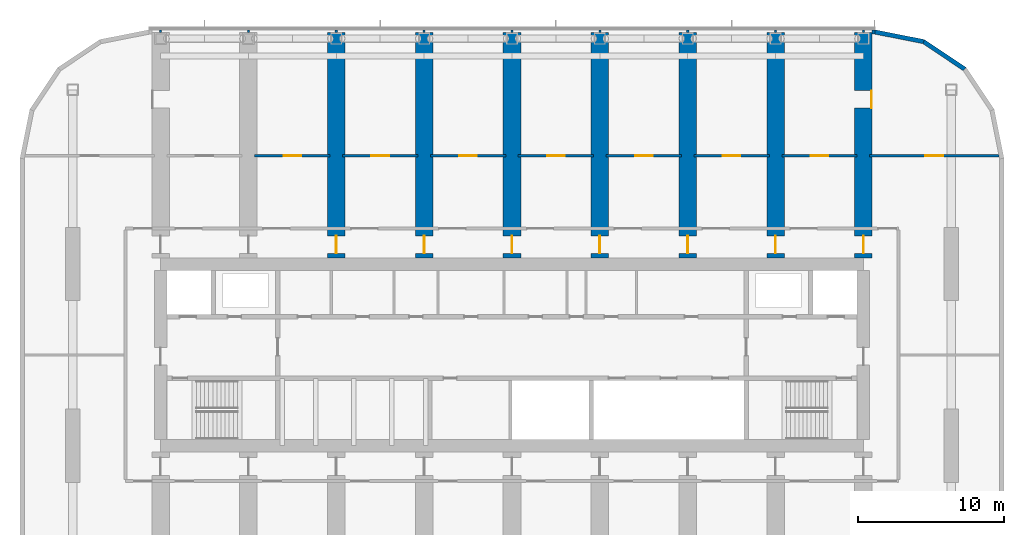
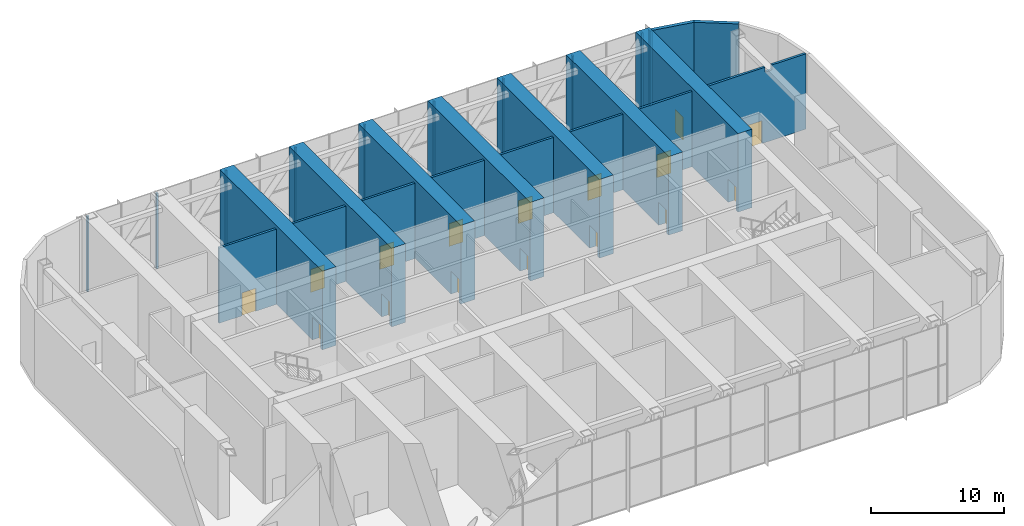
# One storey, part 12 of 22: 27 walls, 16 doors, 16 openings.
"""IFC4 building model written with IfcOpenShell, lengths in metres."""

from ifc_helpers import new_model, si_unit, direction, frame, frame_2d, origin, place, context, subcontext, project, spatial, polyline, rectangle, outline, extrude, clip, halfspace, material, layer, layer_set, type_object, element, fill, save


model = new_model("IFC4")

# Units and contexts
model_context = context("Model", 3, precision=1e-05, world=origin(), true_north=direction((0.0, 1.0)))
body_context = subcontext(model_context, "Body", "Model", "MODEL_VIEW")
ifc_project = project(units=[si_unit("LENGTHUNIT", "METRE"), si_unit("AREAUNIT", "SQUARE_METRE"), si_unit("VOLUMEUNIT", "CUBIC_METRE"), si_unit("PLANEANGLEUNIT", "RADIAN"), si_unit("MASSUNIT", "GRAM", prefix="KILO")], contexts=[model_context])

# Site, building, storey
site_placement = place(None, origin())
site = spatial("IfcSite", under=ifc_project, at=site_placement, CompositionType="ELEMENT")
building_placement = place(site_placement, origin())
building = spatial("IfcBuilding", under=site, at=building_placement, Name="Orbita Commons", CompositionType="ELEMENT")
storey_placement = place(building_placement, frame((0.0, 0.0, 201.10009765625)))
storey = spatial("IfcBuildingStorey", under=building, at=storey_placement, Name="L50", CompositionType="ELEMENT", Elevation=201.10009765625)

# Wall, opening, door
ifc_material_1 = material(Name="Hollow concrete block 200", Category="concrete")
ifc_layer_1 = layer(ifc_material_1, 0.199951171875)
ifc_layer_set_1 = layer_set([ifc_layer_1], Name="Hollow concrete block 200")
wall_type_1 = type_object("IfcWallType", Name="Corridor wall 200 hollow concrete block", PredefinedType="SOLIDWALL", material=ifc_layer_set_1)
wall_1_placement = place(storey_placement, frame((24.425048828125, 45.60009765625, 0.0), z_axis=(0.0, 0.0, 1.0), x_axis=(1.0, 0.0, 0.0)))
wall_1 = element("IfcWall", 1, at=wall_1_placement, inside=storey, type_object=wall_type_1, Name="Corridor wall 200 hollow concrete block L50", PredefinedType="SOLIDWALL", context=body_context, shape_type="SweptSolid", body=[
    extrude(rectangle(XDim=5.14990234375, YDim=0.199951171875, at=frame_2d((2.574951171875, 0.0))), origin(), (0.0, 0.0, 1.0), 6.89990234375),
])
opening_1_placement = place(wall_1_placement, frame((1.97509765625, 0.0, 0.0)))
opening_1 = element("IfcOpeningElement", 2, at=opening_1_placement, cuts=wall_1, Name="Opening D01", PredefinedType="OPENING", context=body_context, shape_type="SweptSolid", body=[
    extrude(rectangle(XDim=1.199951171875, YDim=2.10009765625, at=frame_2d((0.60009765625, 1.050048828125))), frame((0.0, 0.10986328125, 0.0), z_axis=(0.0, -1.0, 0.0), x_axis=(1.0, 0.0, 0.0)), (0.0, 0.0, 1.0), 0.219970703125),
])
ifc_material_2 = material(Name="Steel-faced fire door leaf", Category="steel")
door_type = type_object("IfcDoorType", Name="Fire door 90 min 1200x2100", OperationType="SINGLE_SWING_LEFT", PredefinedType="DOOR", material=ifc_material_2)
door_1_placement = place(opening_1_placement, origin())
door_1 = element("IfcDoor", 3, at=door_1_placement, inside=storey, type_object=door_type, Name="Plant room door L50", OperationType="SINGLE_SWING_LEFT", OverallHeight=2.10009765625, OverallWidth=1.199951171875, PredefinedType="DOOR", context=body_context, shape_type="SweptSolid", body=[
    extrude(rectangle(XDim=1.199951171875, YDim=2.10009765625, at=frame_2d((0.60009765625, 1.050048828125))), frame((0.0, 0.02490234375, 0.0), z_axis=(0.0, -1.0, 0.0), x_axis=(1.0, 0.0, 0.0)), (0.0, 0.0, 1.0), 0.050048828125),
])
fill(opening_1, door_1)

wall_2_placement = place(storey_placement, frame((30.425048828125, 45.60009765625, 0.0), z_axis=(0.0, 0.0, 1.0), x_axis=(1.0, 0.0, 0.0)))
wall_2 = element("IfcWall", 4, at=wall_2_placement, inside=storey, type_object=wall_type_1, Name="Corridor wall 200 hollow concrete block L50", PredefinedType="SOLIDWALL", context=body_context, shape_type="SweptSolid", body=[
    extrude(rectangle(XDim=5.14990234375, YDim=0.199951171875, at=frame_2d((2.574951171875, 0.0))), origin(), (0.0, 0.0, 1.0), 6.89990234375),
])
opening_2_placement = place(wall_2_placement, frame((1.97509765625, 0.0, 0.0)))
opening_2 = element("IfcOpeningElement", 5, at=opening_2_placement, cuts=wall_2, Name="Opening D01", PredefinedType="OPENING", context=body_context, shape_type="SweptSolid", body=[
    extrude(rectangle(XDim=1.199951171875, YDim=2.10009765625, at=frame_2d((0.60009765625, 1.050048828125))), frame((0.0, 0.10986328125, 0.0), z_axis=(0.0, -1.0, 0.0), x_axis=(1.0, 0.0, 0.0)), (0.0, 0.0, 1.0), 0.219970703125),
])
door_2_placement = place(opening_2_placement, origin())
door_2 = element("IfcDoor", 6, at=door_2_placement, inside=storey, type_object=door_type, Name="Plant room door L50", OperationType="SINGLE_SWING_LEFT", OverallHeight=2.10009765625, OverallWidth=1.199951171875, PredefinedType="DOOR", context=body_context, shape_type="SweptSolid", body=[
    extrude(rectangle(XDim=1.199951171875, YDim=2.10009765625, at=frame_2d((0.60009765625, 1.050048828125))), frame((0.0, 0.02490234375, 0.0), z_axis=(0.0, -1.0, 0.0), x_axis=(1.0, 0.0, 0.0)), (0.0, 0.0, 1.0), 0.050048828125),
])
fill(opening_2, door_2)

wall_3_placement = place(storey_placement, frame((36.425048828125, 45.60009765625, 0.0), z_axis=(0.0, 0.0, 1.0), x_axis=(1.0, 0.0, 0.0)))
wall_3 = element("IfcWall", 7, at=wall_3_placement, inside=storey, type_object=wall_type_1, Name="Corridor wall 200 hollow concrete block L50", PredefinedType="SOLIDWALL", context=body_context, shape_type="SweptSolid", body=[
    extrude(rectangle(XDim=5.14990234375, YDim=0.199951171875, at=frame_2d((2.574951171875, 0.0))), origin(), (0.0, 0.0, 1.0), 6.89990234375),
])
opening_3_placement = place(wall_3_placement, frame((1.97509765625, 0.0, 0.0)))
opening_3 = element("IfcOpeningElement", 8, at=opening_3_placement, cuts=wall_3, Name="Opening D01", PredefinedType="OPENING", context=body_context, shape_type="SweptSolid", body=[
    extrude(rectangle(XDim=1.199951171875, YDim=2.10009765625, at=frame_2d((0.60009765625, 1.050048828125))), frame((0.0, 0.10986328125, 0.0), z_axis=(0.0, -1.0, 0.0), x_axis=(1.0, 0.0, 0.0)), (0.0, 0.0, 1.0), 0.219970703125),
])
door_3_placement = place(opening_3_placement, origin())
door_3 = element("IfcDoor", 9, at=door_3_placement, inside=storey, type_object=door_type, Name="Plant room door L50", OperationType="SINGLE_SWING_LEFT", OverallHeight=2.10009765625, OverallWidth=1.199951171875, PredefinedType="DOOR", context=body_context, shape_type="SweptSolid", body=[
    extrude(rectangle(XDim=1.199951171875, YDim=2.10009765625, at=frame_2d((0.60009765625, 1.050048828125))), frame((0.0, 0.02490234375, 0.0), z_axis=(0.0, -1.0, 0.0), x_axis=(1.0, 0.0, 0.0)), (0.0, 0.0, 1.0), 0.050048828125),
])
fill(opening_3, door_3)

wall_4_placement = place(storey_placement, frame((42.425048828125, 45.60009765625, 0.0), z_axis=(0.0, 0.0, 1.0), x_axis=(1.0, 0.0, 0.0)))
wall_4 = element("IfcWall", 10, at=wall_4_placement, inside=storey, type_object=wall_type_1, Name="Corridor wall 200 hollow concrete block L50", PredefinedType="SOLIDWALL", context=body_context, shape_type="SweptSolid", body=[
    extrude(rectangle(XDim=5.14990234375, YDim=0.199951171875, at=frame_2d((2.574951171875, 0.0))), origin(), (0.0, 0.0, 1.0), 6.89990234375),
])
opening_4_placement = place(wall_4_placement, frame((1.97509765625, 0.0, 0.0)))
opening_4 = element("IfcOpeningElement", 11, at=opening_4_placement, cuts=wall_4, Name="Opening D01", PredefinedType="OPENING", context=body_context, shape_type="SweptSolid", body=[
    extrude(rectangle(XDim=1.199951171875, YDim=2.10009765625, at=frame_2d((0.60009765625, 1.050048828125))), frame((0.0, 0.10986328125, 0.0), z_axis=(0.0, -1.0, 0.0), x_axis=(1.0, 0.0, 0.0)), (0.0, 0.0, 1.0), 0.219970703125),
])
door_4_placement = place(opening_4_placement, origin())
door_4 = element("IfcDoor", 12, at=door_4_placement, inside=storey, type_object=door_type, Name="Plant room door L50", OperationType="SINGLE_SWING_LEFT", OverallHeight=2.10009765625, OverallWidth=1.199951171875, PredefinedType="DOOR", context=body_context, shape_type="SweptSolid", body=[
    extrude(rectangle(XDim=1.199951171875, YDim=2.10009765625, at=frame_2d((0.60009765625, 1.050048828125))), frame((0.0, 0.02490234375, 0.0), z_axis=(0.0, -1.0, 0.0), x_axis=(1.0, 0.0, 0.0)), (0.0, 0.0, 1.0), 0.050048828125),
])
fill(opening_4, door_4)

wall_5_placement = place(storey_placement, frame((48.425048828125, 45.60009765625, 0.0), z_axis=(0.0, 0.0, 1.0), x_axis=(1.0, 0.0, 0.0)))
wall_5 = element("IfcWall", 13, at=wall_5_placement, inside=storey, type_object=wall_type_1, Name="Corridor wall 200 hollow concrete block L50", PredefinedType="SOLIDWALL", context=body_context, shape_type="SweptSolid", body=[
    extrude(rectangle(XDim=5.14990234375, YDim=0.199951171875, at=frame_2d((2.574951171875, 0.0))), origin(), (0.0, 0.0, 1.0), 6.89990234375),
])
opening_5_placement = place(wall_5_placement, frame((1.97509765625, 0.0, 0.0)))
opening_5 = element("IfcOpeningElement", 14, at=opening_5_placement, cuts=wall_5, Name="Opening D01", PredefinedType="OPENING", context=body_context, shape_type="SweptSolid", body=[
    extrude(rectangle(XDim=1.199951171875, YDim=2.10009765625, at=frame_2d((0.60009765625, 1.050048828125))), frame((0.0, 0.10986328125, 0.0), z_axis=(0.0, -1.0, 0.0), x_axis=(1.0, 0.0, 0.0)), (0.0, 0.0, 1.0), 0.219970703125),
])
door_5_placement = place(opening_5_placement, origin())
door_5 = element("IfcDoor", 15, at=door_5_placement, inside=storey, type_object=door_type, Name="Plant room door L50", OperationType="SINGLE_SWING_LEFT", OverallHeight=2.10009765625, OverallWidth=1.199951171875, PredefinedType="DOOR", context=body_context, shape_type="SweptSolid", body=[
    extrude(rectangle(XDim=1.199951171875, YDim=2.10009765625, at=frame_2d((0.60009765625, 1.050048828125))), frame((0.0, 0.02490234375, 0.0), z_axis=(0.0, -1.0, 0.0), x_axis=(1.0, 0.0, 0.0)), (0.0, 0.0, 1.0), 0.050048828125),
])
fill(opening_5, door_5)

wall_6_placement = place(storey_placement, frame((54.425048828125, 45.60009765625, 0.0), z_axis=(0.0, 0.0, 1.0), x_axis=(1.0, 0.0, 0.0)))
wall_6 = element("IfcWall", 16, at=wall_6_placement, inside=storey, type_object=wall_type_1, Name="Corridor wall 200 hollow concrete block L50", PredefinedType="SOLIDWALL", context=body_context, shape_type="SweptSolid", body=[
    extrude(rectangle(XDim=5.14990234375, YDim=0.199951171875, at=frame_2d((2.574951171875, 0.0))), origin(), (0.0, 0.0, 1.0), 6.89990234375),
])
opening_6_placement = place(wall_6_placement, frame((1.97509765625, 0.0, 0.0)))
opening_6 = element("IfcOpeningElement", 17, at=opening_6_placement, cuts=wall_6, Name="Opening D01", PredefinedType="OPENING", context=body_context, shape_type="SweptSolid", body=[
    extrude(rectangle(XDim=1.199951171875, YDim=2.10009765625, at=frame_2d((0.60009765625, 1.050048828125))), frame((0.0, 0.10986328125, 0.0), z_axis=(0.0, -1.0, 0.0), x_axis=(1.0, 0.0, 0.0)), (0.0, 0.0, 1.0), 0.219970703125),
])
door_6_placement = place(opening_6_placement, origin())
door_6 = element("IfcDoor", 18, at=door_6_placement, inside=storey, type_object=door_type, Name="Plant room door L50", OperationType="SINGLE_SWING_LEFT", OverallHeight=2.10009765625, OverallWidth=1.199951171875, PredefinedType="DOOR", context=body_context, shape_type="SweptSolid", body=[
    extrude(rectangle(XDim=1.199951171875, YDim=2.10009765625, at=frame_2d((0.60009765625, 1.050048828125))), frame((0.0, 0.02490234375, 0.0), z_axis=(0.0, -1.0, 0.0), x_axis=(1.0, 0.0, 0.0)), (0.0, 0.0, 1.0), 0.050048828125),
])
fill(opening_6, door_6)

wall_7_placement = place(storey_placement, frame((60.425048828125, 45.60009765625, 0.0), z_axis=(0.0, 0.0, 1.0), x_axis=(1.0, 0.0, 0.0)))
wall_7 = element("IfcWall", 19, at=wall_7_placement, inside=storey, type_object=wall_type_1, Name="Corridor wall 200 hollow concrete block L50", PredefinedType="SOLIDWALL", context=body_context, shape_type="SweptSolid", body=[
    extrude(rectangle(XDim=5.14990234375, YDim=0.199951171875, at=frame_2d((2.574951171875, 0.0))), origin(), (0.0, 0.0, 1.0), 6.89990234375),
])
opening_7_placement = place(wall_7_placement, frame((1.97509765625, 0.0, 0.0)))
opening_7 = element("IfcOpeningElement", 20, at=opening_7_placement, cuts=wall_7, Name="Opening D01", PredefinedType="OPENING", context=body_context, shape_type="SweptSolid", body=[
    extrude(rectangle(XDim=1.199951171875, YDim=2.10009765625, at=frame_2d((0.60009765625, 1.050048828125))), frame((0.0, 0.10986328125, 0.0), z_axis=(0.0, -1.0, 0.0), x_axis=(1.0, 0.0, 0.0)), (0.0, 0.0, 1.0), 0.219970703125),
])
door_7_placement = place(opening_7_placement, origin())
door_7 = element("IfcDoor", 21, at=door_7_placement, inside=storey, type_object=door_type, Name="Plant room door L50", OperationType="SINGLE_SWING_LEFT", OverallHeight=2.10009765625, OverallWidth=1.199951171875, PredefinedType="DOOR", context=body_context, shape_type="SweptSolid", body=[
    extrude(rectangle(XDim=1.199951171875, YDim=2.10009765625, at=frame_2d((0.60009765625, 1.050048828125))), frame((0.0, 0.02490234375, 0.0), z_axis=(0.0, -1.0, 0.0), x_axis=(1.0, 0.0, 0.0)), (0.0, 0.0, 1.0), 0.050048828125),
])
fill(opening_7, door_7)

wall_8_placement = place(storey_placement, frame((66.425048828125, 45.60009765625, 0.0), z_axis=(0.0, 0.0, 1.0), x_axis=(1.0, 0.0, 0.0)))
wall_8 = element("IfcWall", 22, at=wall_8_placement, inside=storey, type_object=wall_type_1, Name="Corridor wall 200 hollow concrete block L50", PredefinedType="SOLIDWALL", context=body_context, shape_type="Clipping", body=[
    clip(clip(extrude(outline(polyline([(-0.02978515625, 0.0), (8.85693359375, 0.0), (8.85693359375, 6.89990234375), (5.876953125, 6.89990234375), (5.875, 6.449951171875), (5.277099609375, 6.449951171875), (5.27490234375, 6.89990234375), (-0.02978515625, 6.89990234375), (-0.02978515625, 0.0)])), frame((0.0, 0.10009765625, 0.0), z_axis=(0.0, -1.0, 0.0), x_axis=(1.0, 0.0, 0.0)), (0.0, 0.0, 1.0), 0.199951171875), halfspace(frame((0.0, 0.0, 0.0), z_axis=(-1.0, 0.0, 0.0)), False)), halfspace(frame((8.8271484375, 0.0, 0.0), z_axis=(0.980787601265, 0.195078653892, 0.0)), False)),
])
opening_8_placement = place(wall_8_placement, frame((3.81201171875, 0.0, 0.0)))
opening_8 = element("IfcOpeningElement", 23, at=opening_8_placement, cuts=wall_8, Name="Opening D01", PredefinedType="OPENING", context=body_context, shape_type="SweptSolid", body=[
    extrude(rectangle(XDim=1.199951171875, YDim=2.10009765625, at=frame_2d((0.60009765625, 1.050048828125))), frame((0.0, 0.10986328125, 0.0), z_axis=(0.0, -1.0, 0.0), x_axis=(1.0, 0.0, 0.0)), (0.0, 0.0, 1.0), 0.219970703125),
])
door_8_placement = place(opening_8_placement, origin())
door_8 = element("IfcDoor", 24, at=door_8_placement, inside=storey, type_object=door_type, Name="Plant room door L50", OperationType="SINGLE_SWING_LEFT", OverallHeight=2.10009765625, OverallWidth=1.199951171875, PredefinedType="DOOR", context=body_context, shape_type="SweptSolid", body=[
    extrude(rectangle(XDim=1.199951171875, YDim=2.10009765625, at=frame_2d((0.60009765625, 1.050048828125))), frame((0.0, 0.02490234375, 0.0), z_axis=(0.0, -1.0, 0.0), x_axis=(1.0, 0.0, 0.0)), (0.0, 0.0, 1.0), 0.050048828125),
])
fill(opening_8, door_8)

ifc_material_3 = material(Name="Concrete C50/60", Category="concrete")
ifc_layer_2 = layer(ifc_material_3, 1.199951171875)
ifc_layer_set_2 = layer_set([ifc_layer_2], Name="Concrete C50/60")
wall_type_2 = type_object("IfcWallType", Name="Outrigger wall 1200 C50/60", PredefinedType="SHEAR", material=ifc_layer_set_2)
wall_9_placement = place(storey_placement, frame((30.0, 38.625, 0.0), z_axis=(0.0, 0.0, 1.0), x_axis=(0.0, 1.0, 0.0)))
wall_9 = element("IfcWall", 25, at=wall_9_placement, inside=storey, type_object=wall_type_2, Name="Outrigger wall 6 north L50", PredefinedType="SHEAR", context=body_context, shape_type="SweptSolid", body=[
    extrude(rectangle(XDim=15.375, YDim=1.199951171875, at=frame_2d((7.6875, 0.0))), origin(), (0.0, 0.0, 1.0), 7.199951171875),
])
opening_9_placement = place(wall_9_placement, frame((0.300048828125, 0.0, 0.0)))
opening_9 = element("IfcOpeningElement", 26, at=opening_9_placement, cuts=wall_9, Name="Opening D01", PredefinedType="OPENING", context=body_context, shape_type="SweptSolid", body=[
    extrude(rectangle(XDim=1.199951171875, YDim=2.10009765625, at=frame_2d((0.60009765625, 1.050048828125))), frame((0.0, 0.60986328125, 0.0), z_axis=(0.0, -1.0, 0.0), x_axis=(1.0, 0.0, 0.0)), (0.0, 0.0, 1.0), 1.219970703125),
])
door_9_placement = place(opening_9_placement, origin())
door_9 = element("IfcDoor", 27, at=door_9_placement, inside=storey, type_object=door_type, Name="Corridor door through cross wall N L50", OperationType="SINGLE_SWING_LEFT", OverallHeight=2.10009765625, OverallWidth=1.199951171875, PredefinedType="DOOR", context=body_context, shape_type="SweptSolid", body=[
    extrude(rectangle(XDim=1.199951171875, YDim=2.10009765625, at=frame_2d((0.60009765625, 1.050048828125))), frame((0.0, 0.02490234375, 0.0), z_axis=(0.0, -1.0, 0.0), x_axis=(1.0, 0.0, 0.0)), (0.0, 0.0, 1.0), 0.050048828125),
])
fill(opening_9, door_9)

wall_10_placement = place(storey_placement, frame((36.0, 38.625, 0.0), z_axis=(0.0, 0.0, 1.0), x_axis=(0.0, 1.0, 0.0)))
wall_10 = element("IfcWall", 28, at=wall_10_placement, inside=storey, type_object=wall_type_2, Name="Outrigger wall 7 north L50", PredefinedType="SHEAR", context=body_context, shape_type="SweptSolid", body=[
    extrude(rectangle(XDim=15.375, YDim=1.199951171875, at=frame_2d((7.6875, 0.0))), origin(), (0.0, 0.0, 1.0), 7.199951171875),
])
opening_10_placement = place(wall_10_placement, frame((0.300048828125, 0.0, 0.0)))
opening_10 = element("IfcOpeningElement", 29, at=opening_10_placement, cuts=wall_10, Name="Opening D01", PredefinedType="OPENING", context=body_context, shape_type="SweptSolid", body=[
    extrude(rectangle(XDim=1.199951171875, YDim=2.10009765625, at=frame_2d((0.60009765625, 1.050048828125))), frame((0.0, 0.60986328125, 0.0), z_axis=(0.0, -1.0, 0.0), x_axis=(1.0, 0.0, 0.0)), (0.0, 0.0, 1.0), 1.219970703125),
])
door_10_placement = place(opening_10_placement, origin())
door_10 = element("IfcDoor", 30, at=door_10_placement, inside=storey, type_object=door_type, Name="Corridor door through cross wall N L50", OperationType="SINGLE_SWING_LEFT", OverallHeight=2.10009765625, OverallWidth=1.199951171875, PredefinedType="DOOR", context=body_context, shape_type="SweptSolid", body=[
    extrude(rectangle(XDim=1.199951171875, YDim=2.10009765625, at=frame_2d((0.60009765625, 1.050048828125))), frame((0.0, 0.02490234375, 0.0), z_axis=(0.0, -1.0, 0.0), x_axis=(1.0, 0.0, 0.0)), (0.0, 0.0, 1.0), 0.050048828125),
])
fill(opening_10, door_10)

wall_11_placement = place(storey_placement, frame((42.0, 38.625, 0.0), z_axis=(0.0, 0.0, 1.0), x_axis=(0.0, 1.0, 0.0)))
wall_11 = element("IfcWall", 31, at=wall_11_placement, inside=storey, type_object=wall_type_2, Name="Outrigger wall 8 north L50", PredefinedType="SHEAR", context=body_context, shape_type="SweptSolid", body=[
    extrude(rectangle(XDim=15.375, YDim=1.199951171875, at=frame_2d((7.6875, 0.0))), origin(), (0.0, 0.0, 1.0), 7.199951171875),
])
opening_11_placement = place(wall_11_placement, frame((0.300048828125, 0.0, 0.0)))
opening_11 = element("IfcOpeningElement", 32, at=opening_11_placement, cuts=wall_11, Name="Opening D01", PredefinedType="OPENING", context=body_context, shape_type="SweptSolid", body=[
    extrude(rectangle(XDim=1.199951171875, YDim=2.10009765625, at=frame_2d((0.60009765625, 1.050048828125))), frame((0.0, 0.60986328125, 0.0), z_axis=(0.0, -1.0, 0.0), x_axis=(1.0, 0.0, 0.0)), (0.0, 0.0, 1.0), 1.219970703125),
])
door_11_placement = place(opening_11_placement, origin())
door_11 = element("IfcDoor", 33, at=door_11_placement, inside=storey, type_object=door_type, Name="Corridor door through cross wall N L50", OperationType="SINGLE_SWING_LEFT", OverallHeight=2.10009765625, OverallWidth=1.199951171875, PredefinedType="DOOR", context=body_context, shape_type="SweptSolid", body=[
    extrude(rectangle(XDim=1.199951171875, YDim=2.10009765625, at=frame_2d((0.60009765625, 1.050048828125))), frame((0.0, 0.02490234375, 0.0), z_axis=(0.0, -1.0, 0.0), x_axis=(1.0, 0.0, 0.0)), (0.0, 0.0, 1.0), 0.050048828125),
])
fill(opening_11, door_11)

wall_12_placement = place(storey_placement, frame((48.0, 38.625, 0.0), z_axis=(0.0, 0.0, 1.0), x_axis=(0.0, 1.0, 0.0)))
wall_12 = element("IfcWall", 34, at=wall_12_placement, inside=storey, type_object=wall_type_2, Name="Outrigger wall 9 north L50", PredefinedType="SHEAR", context=body_context, shape_type="SweptSolid", body=[
    extrude(rectangle(XDim=15.375, YDim=1.199951171875, at=frame_2d((7.6875, 0.0))), origin(), (0.0, 0.0, 1.0), 7.199951171875),
])
opening_12_placement = place(wall_12_placement, frame((0.300048828125, 0.0, 0.0)))
opening_12 = element("IfcOpeningElement", 35, at=opening_12_placement, cuts=wall_12, Name="Opening D01", PredefinedType="OPENING", context=body_context, shape_type="SweptSolid", body=[
    extrude(rectangle(XDim=1.199951171875, YDim=2.10009765625, at=frame_2d((0.60009765625, 1.050048828125))), frame((0.0, 0.60986328125, 0.0), z_axis=(0.0, -1.0, 0.0), x_axis=(1.0, 0.0, 0.0)), (0.0, 0.0, 1.0), 1.219970703125),
])
door_12_placement = place(opening_12_placement, origin())
door_12 = element("IfcDoor", 36, at=door_12_placement, inside=storey, type_object=door_type, Name="Corridor door through cross wall N L50", OperationType="SINGLE_SWING_LEFT", OverallHeight=2.10009765625, OverallWidth=1.199951171875, PredefinedType="DOOR", context=body_context, shape_type="SweptSolid", body=[
    extrude(rectangle(XDim=1.199951171875, YDim=2.10009765625, at=frame_2d((0.60009765625, 1.050048828125))), frame((0.0, 0.02490234375, 0.0), z_axis=(0.0, -1.0, 0.0), x_axis=(1.0, 0.0, 0.0)), (0.0, 0.0, 1.0), 0.050048828125),
])
fill(opening_12, door_12)

wall_13_placement = place(storey_placement, frame((54.0, 38.625, 0.0), z_axis=(0.0, 0.0, 1.0), x_axis=(0.0, 1.0, 0.0)))
wall_13 = element("IfcWall", 37, at=wall_13_placement, inside=storey, type_object=wall_type_2, Name="Outrigger wall 10 north L50", PredefinedType="SHEAR", context=body_context, shape_type="SweptSolid", body=[
    extrude(rectangle(XDim=15.375, YDim=1.199951171875, at=frame_2d((7.6875, 0.0))), origin(), (0.0, 0.0, 1.0), 7.199951171875),
])
opening_13_placement = place(wall_13_placement, frame((0.300048828125, 0.0, 0.0)))
opening_13 = element("IfcOpeningElement", 38, at=opening_13_placement, cuts=wall_13, Name="Opening D01", PredefinedType="OPENING", context=body_context, shape_type="SweptSolid", body=[
    extrude(rectangle(XDim=1.199951171875, YDim=2.10009765625, at=frame_2d((0.60009765625, 1.050048828125))), frame((0.0, 0.60986328125, 0.0), z_axis=(0.0, -1.0, 0.0), x_axis=(1.0, 0.0, 0.0)), (0.0, 0.0, 1.0), 1.219970703125),
])
door_13_placement = place(opening_13_placement, origin())
door_13 = element("IfcDoor", 39, at=door_13_placement, inside=storey, type_object=door_type, Name="Corridor door through cross wall N L50", OperationType="SINGLE_SWING_LEFT", OverallHeight=2.10009765625, OverallWidth=1.199951171875, PredefinedType="DOOR", context=body_context, shape_type="SweptSolid", body=[
    extrude(rectangle(XDim=1.199951171875, YDim=2.10009765625, at=frame_2d((0.60009765625, 1.050048828125))), frame((0.0, 0.02490234375, 0.0), z_axis=(0.0, -1.0, 0.0), x_axis=(1.0, 0.0, 0.0)), (0.0, 0.0, 1.0), 0.050048828125),
])
fill(opening_13, door_13)

wall_14_placement = place(storey_placement, frame((60.0, 38.625, 0.0), z_axis=(0.0, 0.0, 1.0), x_axis=(0.0, 1.0, 0.0)))
wall_14 = element("IfcWall", 40, at=wall_14_placement, inside=storey, type_object=wall_type_2, Name="Outrigger wall 11 north L50", PredefinedType="SHEAR", context=body_context, shape_type="SweptSolid", body=[
    extrude(rectangle(XDim=15.375, YDim=1.199951171875, at=frame_2d((7.6875, 0.0))), origin(), (0.0, 0.0, 1.0), 7.199951171875),
])
opening_14_placement = place(wall_14_placement, frame((0.300048828125, 0.0, 0.0)))
opening_14 = element("IfcOpeningElement", 41, at=opening_14_placement, cuts=wall_14, Name="Opening D01", PredefinedType="OPENING", context=body_context, shape_type="SweptSolid", body=[
    extrude(rectangle(XDim=1.199951171875, YDim=2.10009765625, at=frame_2d((0.60009765625, 1.050048828125))), frame((0.0, 0.60986328125, 0.0), z_axis=(0.0, -1.0, 0.0), x_axis=(1.0, 0.0, 0.0)), (0.0, 0.0, 1.0), 1.219970703125),
])
door_14_placement = place(opening_14_placement, origin())
door_14 = element("IfcDoor", 42, at=door_14_placement, inside=storey, type_object=door_type, Name="Corridor door through cross wall N L50", OperationType="SINGLE_SWING_LEFT", OverallHeight=2.10009765625, OverallWidth=1.199951171875, PredefinedType="DOOR", context=body_context, shape_type="SweptSolid", body=[
    extrude(rectangle(XDim=1.199951171875, YDim=2.10009765625, at=frame_2d((0.60009765625, 1.050048828125))), frame((0.0, 0.02490234375, 0.0), z_axis=(0.0, -1.0, 0.0), x_axis=(1.0, 0.0, 0.0)), (0.0, 0.0, 1.0), 0.050048828125),
])
fill(opening_14, door_14)

# Wall, openings, doors
wall_15_placement = place(storey_placement, frame((66.0, 38.625, 0.0), z_axis=(0.0, 0.0, 1.0), x_axis=(0.0, 1.0, 0.0)))
wall_15 = element("IfcWall", 43, at=wall_15_placement, inside=storey, type_object=wall_type_2, Name="Outrigger wall 12 north L50", PredefinedType="SHEAR", context=body_context, shape_type="SweptSolid", body=[
    extrude(rectangle(XDim=15.375, YDim=1.199951171875, at=frame_2d((7.6875, 0.0))), origin(), (0.0, 0.0, 1.0), 7.199951171875),
])
opening_15_placement = place(wall_15_placement, frame((0.300048828125, 0.0, 0.0)))
opening_15 = element("IfcOpeningElement", 44, at=opening_15_placement, cuts=wall_15, Name="Opening D01", PredefinedType="OPENING", context=body_context, shape_type="SweptSolid", body=[
    extrude(rectangle(XDim=1.199951171875, YDim=2.10009765625, at=frame_2d((0.60009765625, 1.050048828125))), frame((0.0, 0.60986328125, 0.0), z_axis=(0.0, -1.0, 0.0), x_axis=(1.0, 0.0, 0.0)), (0.0, 0.0, 1.0), 1.219970703125),
])
opening_16_placement = place(wall_15_placement, frame((10.22509765625, 0.0, 0.0)))
opening_16 = element("IfcOpeningElement", 45, at=opening_16_placement, cuts=wall_15, Name="Opening D01", PredefinedType="OPENING", context=body_context, shape_type="SweptSolid", body=[
    extrude(rectangle(XDim=1.199951171875, YDim=2.10009765625, at=frame_2d((0.60009765625, 1.050048828125))), frame((0.0, 0.60986328125, 0.0), z_axis=(0.0, -1.0, 0.0), x_axis=(1.0, 0.0, 0.0)), (0.0, 0.0, 1.0), 1.219970703125),
])
door_15_placement = place(opening_15_placement, origin())
door_15 = element("IfcDoor", 46, at=door_15_placement, inside=storey, type_object=door_type, Name="Corridor door through cross wall N L50", OperationType="SINGLE_SWING_LEFT", OverallHeight=2.10009765625, OverallWidth=1.199951171875, PredefinedType="DOOR", context=body_context, shape_type="SweptSolid", body=[
    extrude(rectangle(XDim=1.199951171875, YDim=2.10009765625, at=frame_2d((0.60009765625, 1.050048828125))), frame((0.0, 0.02490234375, 0.0), z_axis=(0.0, -1.0, 0.0), x_axis=(1.0, 0.0, 0.0)), (0.0, 0.0, 1.0), 0.050048828125),
])
fill(opening_15, door_15)
door_16_placement = place(opening_16_placement, origin())
door_16 = element("IfcDoor", 47, at=door_16_placement, inside=storey, type_object=door_type, Name="Plant room connecting door L50", OperationType="SINGLE_SWING_LEFT", OverallHeight=2.10009765625, OverallWidth=1.199951171875, PredefinedType="DOOR", context=body_context, shape_type="SweptSolid", body=[
    extrude(rectangle(XDim=1.199951171875, YDim=2.10009765625, at=frame_2d((0.60009765625, 1.050048828125))), frame((0.0, -0.53515625, 0.0), z_axis=(0.0, -1.0, 0.0), x_axis=(1.0, 0.0, 0.0)), (0.0, 0.0, 1.0), 0.050048828125),
])
fill(opening_16, door_16)

# Walls
ifc_material_4 = material(Name="Gypsum plasterboard on steel studs", Category="steel")
ifc_layer_3 = layer(ifc_material_4, 0.14990234375)
ifc_layer_set_3 = layer_set([ifc_layer_3], Name="Gypsum plasterboard on steel studs")
wall_type_3 = type_object("IfcWallType", Name="Partition 150 plasterboard", PredefinedType="PARTITIONING", material=ifc_layer_set_3)
for number, where, z_axis, x_axis, name in (
    (48, (18.0, 54.0, 0.0), (0.0, 0.0, 1.0), (0.0, 1.0, 0.0), "Partition 150 plasterboard L50"),
    (49, (24.0, 54.0, 0.0), (0.0, 0.0, 1.0), (0.0, 1.0, 0.0), "Partition 150 plasterboard L50"),
    (50, (30.0, 54.0, 0.0), (0.0, 0.0, 1.0), (0.0, 1.0, 0.0), "Partition 150 plasterboard L50"),
    (51, (36.0, 54.0, 0.0), (0.0, 0.0, 1.0), (0.0, 1.0, 0.0), "Partition 150 plasterboard L50"),
    (52, (42.0, 54.0, 0.0), (0.0, 0.0, 1.0), (0.0, 1.0, 0.0), "Partition 150 plasterboard L50"),
    (53, (48.0, 54.0, 0.0), (0.0, 0.0, 1.0), (0.0, 1.0, 0.0), "Partition 150 plasterboard L50"),
    (54, (54.0, 54.0, 0.0), (0.0, 0.0, 1.0), (0.0, 1.0, 0.0), "Partition 150 plasterboard L50"),
    (55, (60.0, 54.0, 0.0), (0.0, 0.0, 1.0), (0.0, 1.0, 0.0), "Partition 150 plasterboard L50"),
    (56, (66.0, 54.0, 0.0), (0.0, 0.0, 1.0), (0.0, 1.0, 0.0), "Partition 150 plasterboard L50"),
):
    element("IfcWall", number, at=place(storey_placement, frame(where, z_axis=z_axis, x_axis=x_axis)), inside=storey, type_object=wall_type_3, Name=name, PredefinedType="PARTITIONING", context=body_context, shape_type="SweptSolid", body=[
        extrude(rectangle(XDim=0.18994140625, YDim=0.14990234375, at=frame_2d((0.094970703125, 0.0))), origin(), (0.0, 0.0, 1.0), 6.89990234375),
    ])
ifc_material_5 = material(Name="Precast concrete C40/50, white board-marked finish", Category="concrete")
ifc_layer_4 = layer(ifc_material_5, 0.300048828125)
ifc_layer_set_4 = layer_set([ifc_layer_4], Name="Precast concrete C40/50, white board-marked finish")
wall_type_4 = type_object("IfcWallType", Name="Precast concrete end shield 300", PredefinedType="SOLIDWALL", material=ifc_layer_set_4)
wall_16_placement = place(storey_placement, frame((72.91650390625, 51.5166015625, 0.0), z_axis=(0.0, 0.0, 1.0), x_axis=(-0.831493450887, 0.555534554399, 0.0)))
element("IfcWall", 57, at=wall_16_placement, inside=storey, type_object=wall_type_4, Name="End shield NE chord 3 L50", PredefinedType="SOLIDWALL", context=body_context, shape_type="SweptSolid", body=[
    extrude(outline(polyline([(-0.02978515625, -0.14990234375), (3.405029296875, -0.14990234375), (3.345458984375, 0.14990234375), (0.02978515625, 0.14990234375), (-0.02978515625, -0.14990234375)])), origin(), (0.0, 0.0, 1.0), 6.89990234375),
])
wall_17_placement = place(storey_placement, frame((70.110107421875, 53.3916015625, 0.0), z_axis=(0.0, 0.0, 1.0), x_axis=(-0.98078325777, 0.195100490205, 0.0)))
element("IfcWall", 58, at=wall_17_placement, inside=storey, type_object=wall_type_4, Name="End shield NE chord 4 L50", PredefinedType="SOLIDWALL", context=body_context, shape_type="SweptSolid", body=[
    extrude(outline(polyline([(-0.02978515625, -0.14990234375), (3.40478515625, -0.14990234375), (3.34521484375, 0.14990234375), (0.02978515625, 0.14990234375), (-0.02978515625, -0.14990234375)])), origin(), (0.0, 0.0, 1.0), 6.89990234375),
])
wall_18_placement = place(storey_placement, frame((66.800048828125, 54.050048828125, 0.0), z_axis=(0.0, 0.0, 1.0), x_axis=(-1.0, 0.0, 0.0)))
element("IfcWall", 59, at=wall_18_placement, inside=storey, type_object=wall_type_4, Name="End shield NE closer L50", PredefinedType="SOLIDWALL", context=body_context, shape_type="SweptSolid", body=[
    extrude(rectangle(XDim=0.199951171875, YDim=0.300048828125, at=frame_2d((0.10009765625, 0.0))), origin(), (0.0, 0.0, 1.0), 6.89990234375),
])

save(model, "model.ifc")
